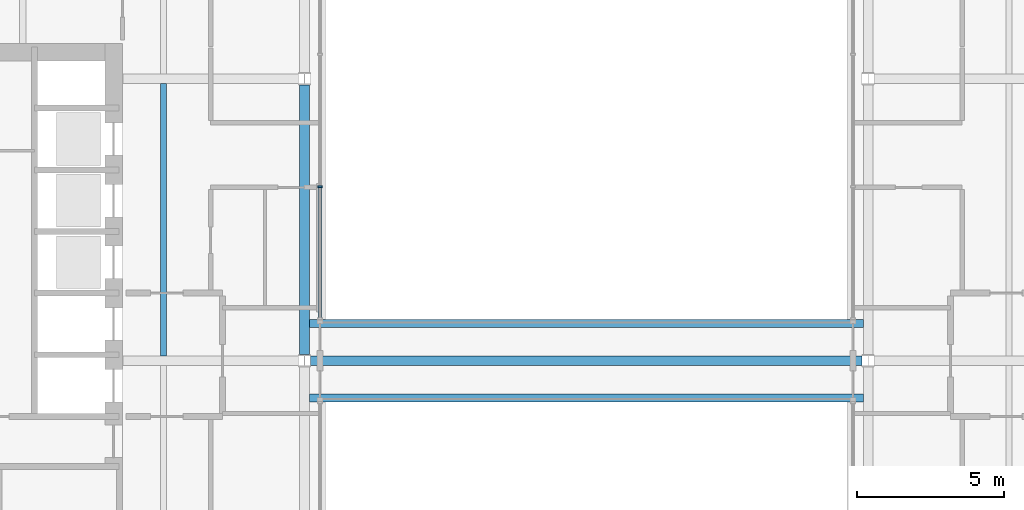
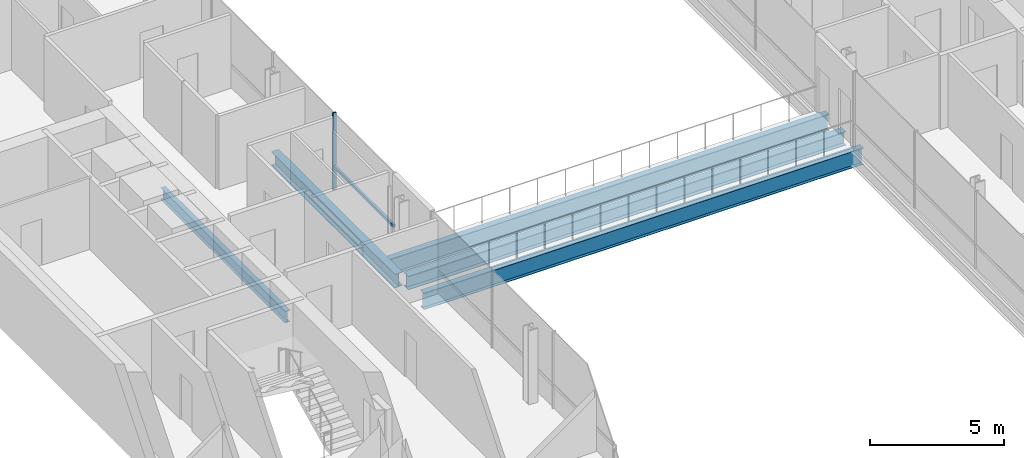
# One storey, part 3 of 18: 5 beams, 2 members, 1 element without a shape of its own.
"""IFC4 building model written with IfcOpenShell, lengths in metres."""

from ifc_helpers import new_model, si_unit, direction, frame, origin, origin_2d, place, context, subcontext, project, spatial, rectangle, i_section, extrude, material, material_profile, profile_set, type_object, element, aggregate, save


model = new_model("IFC4")

# Units and contexts
model_context = context("Model", 3, precision=1e-05, world=origin(), true_north=direction((0.0, 1.0)))
body_context = subcontext(model_context, "Body", "Model", "MODEL_VIEW")
ifc_project = project(units=[si_unit("LENGTHUNIT", "METRE"), si_unit("AREAUNIT", "SQUARE_METRE"), si_unit("VOLUMEUNIT", "CUBIC_METRE"), si_unit("PLANEANGLEUNIT", "RADIAN"), si_unit("MASSUNIT", "GRAM", prefix="KILO")], contexts=[model_context])

# Site, building, storey
site_placement = place(None, origin())
site = spatial("IfcSite", under=ifc_project, at=site_placement, CompositionType="ELEMENT")
building_placement = place(site_placement, origin())
building = spatial("IfcBuilding", under=site, at=building_placement, Name="Cobrizo Arcos Hotel Tower", CompositionType="ELEMENT")
storey_placement = place(building_placement, frame((0.0, 0.0, 77.5)))
storey = spatial("IfcBuildingStorey", under=building, at=storey_placement, Name="L18", CompositionType="ELEMENT", Elevation=77.5)

# Curtain wall, members
ifc_material_1 = material(Name="Aluminium 6063-T6 anodised bronze", Category="aluminium")
curtain_wall_type = type_object("IfcCurtainWallType", Name="CW-F void screen", PredefinedType="NOTDEFINED", material=ifc_material_1)
curtain_wall_placement = place(storey_placement, origin())
curtain_wall = element("IfcCurtainWall", 1, at=curtain_wall_placement, inside=storey, type_object=curtain_wall_type, Name="CW-F L18 void screen A", PredefinedType="NOTDEFINED")
ifc_material_profile_1 = material_profile(ifc_material_1, rectangle(XDim=0.14990234375, YDim=0.06005859375, at=origin_2d()), Name="CW-F mullion 150x60")
ifc_profile_set_1 = profile_set([ifc_material_profile_1], Name="Aluminium 6063-T6 anodised bronze")
member_type_1 = type_object("IfcMemberType", Name="CW-F mullion 150x60", PredefinedType="MULLION", material=ifc_profile_set_1)
member_1_placement = place(storey_placement, frame((-9.074951171875, 5.919921875, 0.0), z_axis=(0.0, 0.0, 1.0), x_axis=(-1.0, 0.0, 0.0)))
member_1 = element("IfcMember", 2, at=member_1_placement, type_object=member_type_1, Name="CW-F mullion 5", PredefinedType="MULLION", context=body_context, shape_type="SweptSolid", body=[
    extrude(rectangle(XDim=0.14990234375, YDim=0.06005859375, at=origin_2d()), origin(), (0.0, 0.0, 1.0), 3.5),
])
ifc_material_profile_2 = material_profile(ifc_material_1, rectangle(XDim=0.10009765625, YDim=0.1201171875, at=origin_2d()), Name="CW-F transom 120x100")
ifc_profile_set_2 = profile_set([ifc_material_profile_2], Name="Aluminium 6063-T6 anodised bronze")
member_type_2 = type_object("IfcMemberType", Name="CW-F transom 120x100", PredefinedType="USERDEFINED", material=ifc_profile_set_2)
member_2_placement = place(storey_placement, frame((-9.074951171875, 5.889892578125, 1.050048828125), z_axis=(0.0, -1.0, 0.0), x_axis=(1.0, 0.0, 0.0)))
member_2 = element("IfcMember", 3, at=member_2_placement, type_object=member_type_2, Name="CW-F transom 2542", ObjectType="TRANSOM", PredefinedType="USERDEFINED", context=body_context, shape_type="SweptSolid", body=[
    extrude(rectangle(XDim=0.10009765625, YDim=0.1201171875, at=origin_2d()), origin(), (0.0, 0.0, 1.0), 4.429931640625),
])
aggregate(curtain_wall, [member_1, member_2])

# Beams
ifc_material_2 = material(Name="Steel ASTM A992 Grade 50", Category="steel")
ifc_material_profile_3 = material_profile(ifc_material_2, i_section(OverallWidth=0.209228515625, OverallDepth=0.533447265625, WebThickness=0.01025390625, FlangeThickness=0.015625, at=origin_2d()), Name="W21X62")
ifc_profile_set_3 = profile_set([ifc_material_profile_3], Name="Steel ASTM A992 Grade 50")
beam_type_1 = type_object("IfcBeamType", Name="W21X62 joist", PredefinedType="JOIST", material=ifc_profile_set_3)
beam_1_placement = place(storey_placement, frame((-14.39990234375, 0.163818359375, -0.416748046875), z_axis=(0.0, 1.0, 0.0), x_axis=(-1.0, 0.0, 0.0)))
element("IfcBeam", 4, at=beam_1_placement, inside=storey, type_object=beam_type_1, Name="Floor joist J1, L18, no. 005", PredefinedType="JOIST", context=body_context, shape_type="SweptSolid", body=[
    extrude(i_section(OverallWidth=0.209228515625, OverallDepth=0.533447265625, WebThickness=0.01025390625, FlangeThickness=0.015625, at=origin_2d()), origin(), (0.0, 0.0, 1.0), 9.272216796875),
])
ifc_material_profile_4 = material_profile(ifc_material_2, i_section(OverallWidth=0.32763671875, OverallDepth=0.622314453125, WebThickness=0.015380859375, FlangeThickness=0.0244140625, at=origin_2d()), Name="W24X131")
ifc_profile_set_4 = profile_set([ifc_material_profile_4], Name="Steel ASTM A992 Grade 50")
beam_type_2 = type_object("IfcBeamType", Name="W24X131 girder", PredefinedType="BEAM", material=ifc_profile_set_4)
beam_2_placement = place(storey_placement, frame((-9.3955078125, 0.0, -0.461181640625), z_axis=(1.0, 0.0, 0.0), x_axis=(0.0, 1.0, 0.0)))
element("IfcBeam", 5, at=beam_2_placement, inside=storey, type_object=beam_type_2, Name="Floor girder G1, L18, no. 004", PredefinedType="BEAM", context=body_context, shape_type="SweptSolid", body=[
    extrude(i_section(OverallWidth=0.32763671875, OverallDepth=0.622314453125, WebThickness=0.015380859375, FlangeThickness=0.0244140625, at=origin_2d()), origin(), (0.0, 0.0, 1.0), 18.791015625),
])
beam_3_placement = place(storey_placement, frame((-9.60009765625, 0.204345703125, -0.461181640625), z_axis=(0.0, 1.0, 0.0), x_axis=(-1.0, 0.0, 0.0)))
element("IfcBeam", 6, at=beam_3_placement, inside=storey, type_object=beam_type_2, Name="Floor girder G1, L18, no. 010", PredefinedType="BEAM", context=body_context, shape_type="SweptSolid", body=[
    extrude(i_section(OverallWidth=0.32763671875, OverallDepth=0.622314453125, WebThickness=0.015380859375, FlangeThickness=0.0244140625, at=origin_2d()), origin(), (0.0, 0.0, 1.0), 9.191162109375),
])
ifc_material_profile_5 = material_profile(ifc_material_2, i_section(OverallWidth=0.2666015625, OverallDepth=0.7568359375, WebThickness=0.013916015625, FlangeThickness=0.019287109375, at=origin_2d()), Name="W30X108")
ifc_profile_set_5 = profile_set([ifc_material_profile_5], Name="Steel ASTM A992 Grade 50")
beam_type_3 = type_object("IfcBeamType", Name="W30X108 bridge girder", PredefinedType="BEAM", material=ifc_profile_set_5)
for number, where, z_axis, x_axis, name in (
    (7, (-9.43603515625, -1.2666015625, -0.528564453125), (1.0, 0.0, 0.0), (0.0, 1.0, 0.0), "Bridge girder BG1, L18, no. 001"),
    (8, (-9.43603515625, 1.2666015625, -0.528564453125), (1.0, 0.0, 0.0), (0.0, 1.0, 0.0), "Bridge girder BG1, L18, no. 002"),
):
    element("IfcBeam", number, at=place(storey_placement, frame(where, z_axis=z_axis, x_axis=x_axis)), inside=storey, type_object=beam_type_3, Name=name, PredefinedType="BEAM", context=body_context, shape_type="SweptSolid", body=[
        extrude(i_section(OverallWidth=0.2666015625, OverallDepth=0.7568359375, WebThickness=0.013916015625, FlangeThickness=0.019287109375, at=origin_2d()), origin(), (0.0, 0.0, 1.0), 18.8720703125),
    ])

save(model, "model.ifc")
